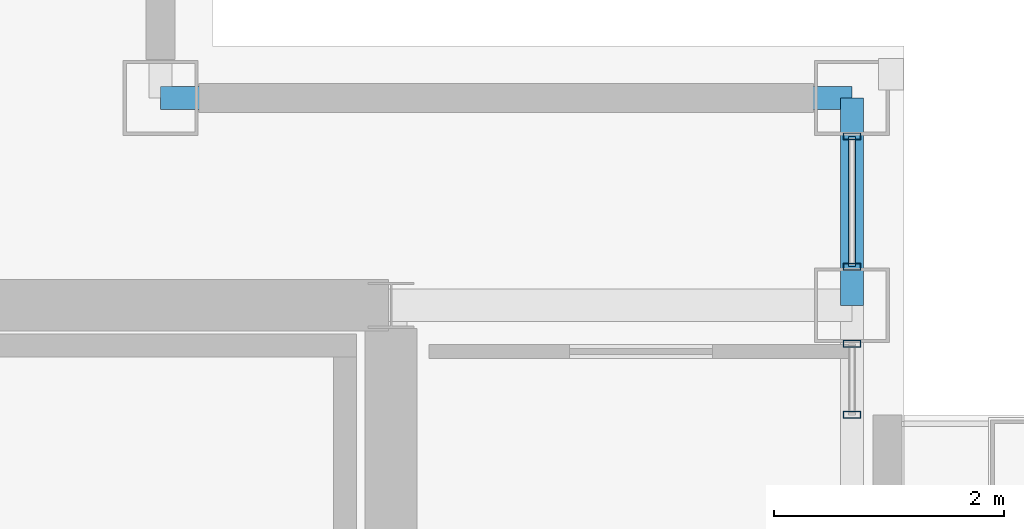
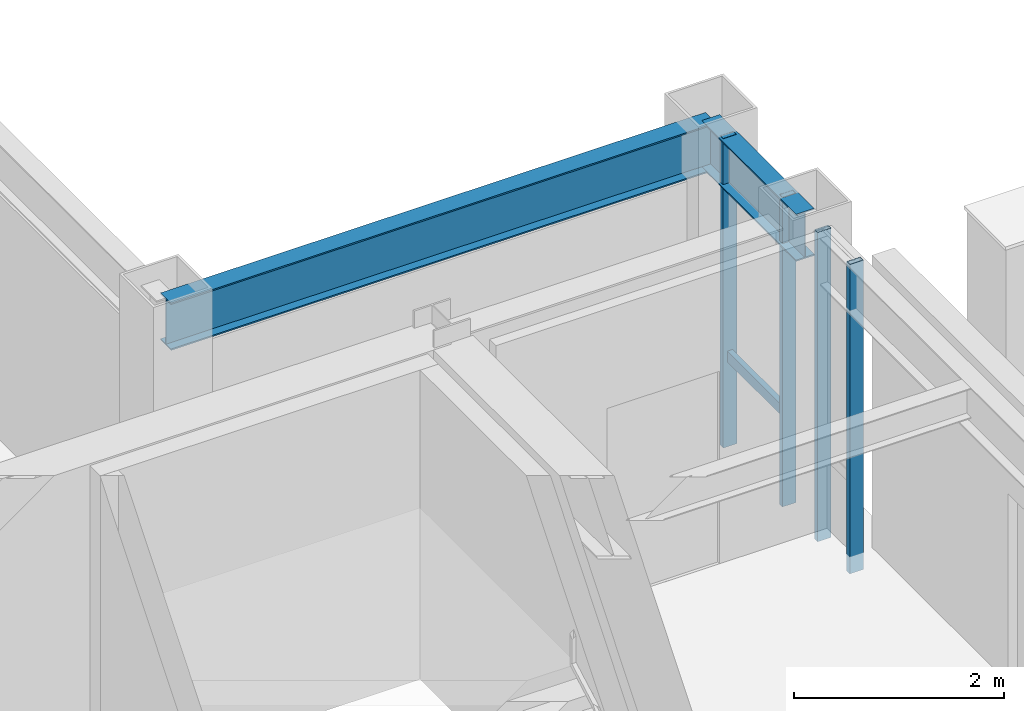
# One storey, part 16 of 28: 5 members, 2 beams, 2 elements without a shape of their own.
"""IFC4 building model written with IfcOpenShell, lengths in metres."""

from ifc_helpers import new_model, si_unit, direction, frame, origin, origin_2d, place, context, subcontext, project, spatial, hollow_rectangle, i_section, extrude, material, layer, layer_set, material_profile, profile_set, type_object, element, aggregate, save


model = new_model("IFC4")

# Units and contexts
model_context = context("Model", 3, precision=1e-05, world=origin(), true_north=direction((0.0, 1.0)))
body_context = subcontext(model_context, "Body", "Model", "MODEL_VIEW")
ifc_project = project(units=[si_unit("LENGTHUNIT", "METRE"), si_unit("AREAUNIT", "SQUARE_METRE"), si_unit("VOLUMEUNIT", "CUBIC_METRE"), si_unit("PLANEANGLEUNIT", "RADIAN"), si_unit("MASSUNIT", "GRAM", prefix="KILO")], contexts=[model_context])

# Site, building, storey
site_placement = place(None, origin())
site = spatial("IfcSite", under=ifc_project, at=site_placement, CompositionType="ELEMENT")
building_placement = place(site_placement, origin())
building = spatial("IfcBuilding", under=site, at=building_placement, Name="Brelmoor Portico Tower", CompositionType="ELEMENT")
storey_placement = place(building_placement, frame((0.0, 0.0, 225.60009765625)))
storey = spatial("IfcBuildingStorey", under=building, at=storey_placement, Name="L59", CompositionType="ELEMENT", Elevation=225.60009765625)

# Beams
ifc_material_1 = material(Name="Steel Q355B", Category="steel")
ifc_material_profile_1 = material_profile(ifc_material_1, i_section(OverallWidth=0.199951171875, OverallDepth=0.550048828125, WebThickness=0.010009765625, FlangeThickness=0.01611328125, at=origin_2d()), Name="HN 550x200x10x16")
ifc_profile_set_1 = profile_set([ifc_material_profile_1], Name="Steel Q355B")
beam_type = type_object("IfcBeamType", Name="BM-SP-550", PredefinedType="SPANDREL", material=ifc_profile_set_1)
beam_1_placement = place(storey_placement, frame((12.550048828125, 11.550048828125, 3.125), z_axis=(1.0, 0.0, 0.0), x_axis=(0.0, 1.0, 0.0)))
element("IfcBeam", 1, at=beam_1_placement, inside=storey, type_object=beam_type, Name="L59 Perimeter Spandrel Beam SP-07", PredefinedType="SPANDREL", context=body_context, shape_type="SweptSolid", body=[
    extrude(i_section(OverallWidth=0.199951171875, OverallDepth=0.550048828125, WebThickness=0.010009765625, FlangeThickness=0.01611328125, at=origin_2d()), origin(), (0.0, 0.0, 1.0), 6.0),
])
beam_2_placement = place(storey_placement, frame((18.550048828125, 9.75, 3.125), z_axis=(0.0, 1.0, 0.0), x_axis=(-1.0, 0.0, 0.0)))
element("IfcBeam", 2, at=beam_2_placement, inside=storey, type_object=beam_type, Name="L59 Perimeter Spandrel Beam SP-20", PredefinedType="SPANDREL", context=body_context, shape_type="SweptSolid", body=[
    extrude(i_section(OverallWidth=0.199951171875, OverallDepth=0.550048828125, WebThickness=0.010009765625, FlangeThickness=0.01611328125, at=origin_2d()), origin(), (0.0, 0.0, 1.0), 1.800048828125),
])

# Curtain wall, members
ifc_material_2 = material(Name="Anodised Aluminium Alloy 6063-T6", Category="aluminium")
ifc_layer = layer(ifc_material_2, 0.179931640625)
ifc_layer_set = layer_set([ifc_layer], Name="Anodised Aluminium Alloy 6063-T6")
curtain_wall_type = type_object("IfcCurtainWallType", Name="CW-TOWER-Z4", PredefinedType="NOTDEFINED", material=ifc_layer_set)
curtain_wall_1_placement = place(storey_placement, origin())
curtain_wall_1 = element("IfcCurtainWall", 3, at=curtain_wall_1_placement, inside=storey, type_object=curtain_wall_type, Name="L59 Curtain Wall CW-L59-4R-1", PredefinedType="NOTDEFINED")
ifc_material_profile_2 = material_profile(ifc_material_2, hollow_rectangle(XDim=0.06005859375, YDim=0.14990234375, WallThickness=0.00390625, at=origin_2d()), Name="ALU MULLION 60x150")
ifc_profile_set_2 = profile_set([ifc_material_profile_2], Name="Anodised Aluminium Alloy 6063-T6")
member_type_1 = type_object("IfcMemberType", Name="MB-CW-MULL-150", PredefinedType="MULLION", material=ifc_profile_set_2)
member_1_placement = place(storey_placement, frame((18.550048828125, 8.800048828125, -0.2001953125), z_axis=(0.0, 0.0, 1.0), x_axis=(0.0, 1.0, 0.0)))
member_1 = element("IfcMember", 4, at=member_1_placement, type_object=member_type_1, Name="CW-L59-4R-1 Mullion 00", PredefinedType="MULLION", context=body_context, shape_type="SweptSolid", body=[
    extrude(hollow_rectangle(XDim=0.06005859375, YDim=0.14990234375, WallThickness=0.00390625, at=origin_2d()), origin(), (0.0, 0.0, 1.0), 3.60009765625),
])
member_2_placement = place(storey_placement, frame((18.550048828125, 9.4150390625, -0.2001953125), z_axis=(0.0, 0.0, 1.0), x_axis=(0.0, 1.0, 0.0)))
member_2 = element("IfcMember", 5, at=member_2_placement, type_object=member_type_1, Name="CW-L59-4R-1 Mullion 01", PredefinedType="MULLION", context=body_context, shape_type="SweptSolid", body=[
    extrude(hollow_rectangle(XDim=0.06005859375, YDim=0.14990234375, WallThickness=0.00390625, at=origin_2d()), origin(), (0.0, 0.0, 1.0), 3.60009765625),
])
aggregate(curtain_wall_1, [member_1, member_2])

curtain_wall_2_placement = place(storey_placement, origin())
curtain_wall_2 = element("IfcCurtainWall", 6, at=curtain_wall_2_placement, inside=storey, type_object=curtain_wall_type, Name="L59 Curtain Wall CW-L59-4R-2", PredefinedType="NOTDEFINED")
member_3_placement = place(storey_placement, frame((18.550048828125, 10.0849609375, -0.2001953125), z_axis=(0.0, 0.0, 1.0), x_axis=(0.0, 1.0, 0.0)))
member_3 = element("IfcMember", 7, at=member_3_placement, type_object=member_type_1, Name="CW-L59-4R-2 Mullion 00", PredefinedType="MULLION", context=body_context, shape_type="SweptSolid", body=[
    extrude(hollow_rectangle(XDim=0.06005859375, YDim=0.14990234375, WallThickness=0.00390625, at=origin_2d()), origin(), (0.0, 0.0, 1.0), 3.60009765625),
])
member_4_placement = place(storey_placement, frame((18.550048828125, 11.215087890625, -0.2001953125), z_axis=(0.0, 0.0, 1.0), x_axis=(0.0, 1.0, 0.0)))
member_4 = element("IfcMember", 8, at=member_4_placement, type_object=member_type_1, Name="CW-L59-4R-2 Mullion 01", PredefinedType="MULLION", context=body_context, shape_type="SweptSolid", body=[
    extrude(hollow_rectangle(XDim=0.06005859375, YDim=0.14990234375, WallThickness=0.00390625, at=origin_2d()), origin(), (0.0, 0.0, 1.0), 3.60009765625),
])
ifc_material_profile_3 = material_profile(ifc_material_2, hollow_rectangle(XDim=0.06005859375, YDim=0.125, WallThickness=0.00341796875, at=origin_2d()), Name="ALU TRANSOM 60x125")
ifc_profile_set_3 = profile_set([ifc_material_profile_3], Name="Anodised Aluminium Alloy 6063-T6")
member_type_2 = type_object("IfcMemberType", Name="MB-CW-TRAN-125", PredefinedType="USERDEFINED", material=ifc_profile_set_3)
member_5_placement = place(storey_placement, frame((18.550048828125, 10.0849609375, 0.849853515625), z_axis=(0.0, 1.0, 0.0), x_axis=(-1.0, 0.0, 0.0)))
member_5 = element("IfcMember", 9, at=member_5_placement, type_object=member_type_2, Name="CW-L59-4R-2 Transom 1-00", ObjectType="TRANSOM", PredefinedType="USERDEFINED", context=body_context, shape_type="SweptSolid", body=[
    extrude(hollow_rectangle(XDim=0.06005859375, YDim=0.125, WallThickness=0.00341796875, at=origin_2d()), origin(), (0.0, 0.0, 1.0), 1.130126953125),
])
aggregate(curtain_wall_2, [member_3, member_4, member_5])

save(model, "model.ifc")
